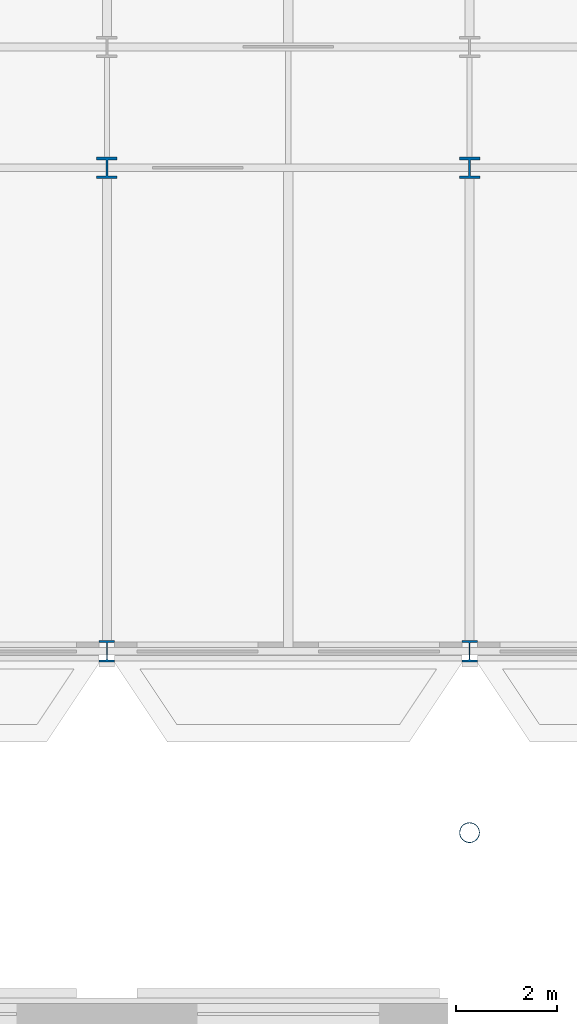
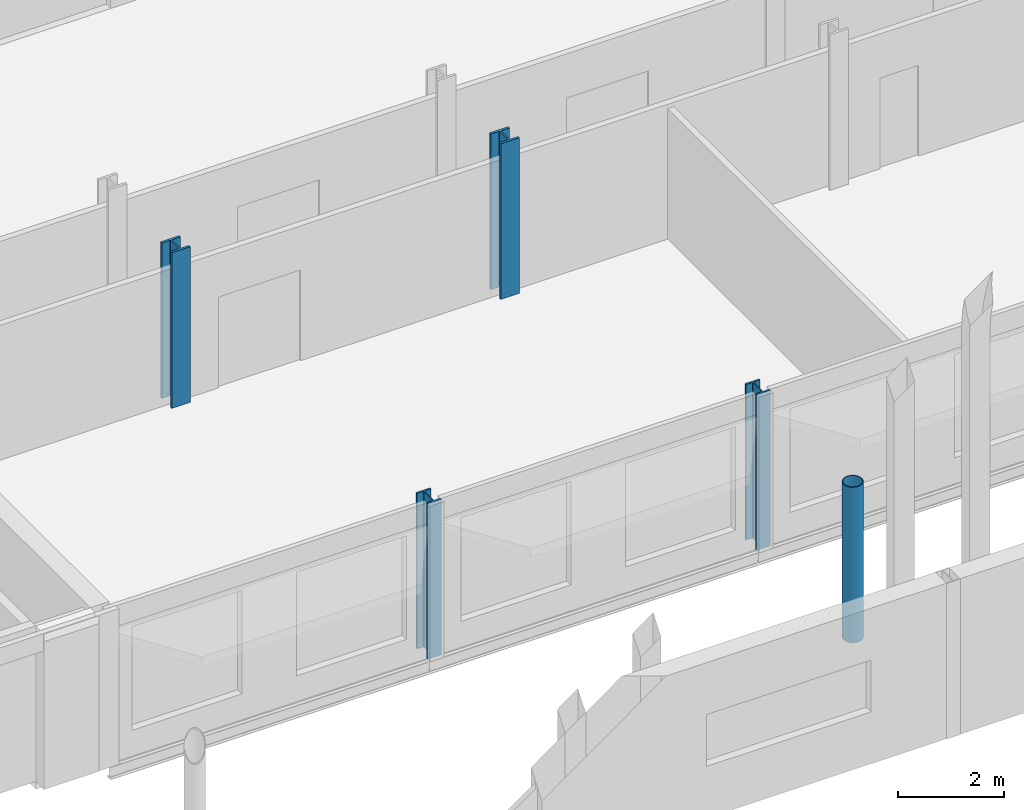
# One storey, part 17 of 143: 5 columns.
"""IFC4 building model written with IfcOpenShell, lengths in metres."""

from ifc_helpers import new_model, si_unit, direction, frame, origin, origin_2d, place, context, subcontext, project, spatial, hollow_circle, i_section, extrude, material, material_profile, profile_set, type_object, element, save


model = new_model("IFC4")

# Units and contexts
model_context = context("Model", 3, precision=1e-05, world=origin(), true_north=direction((0.0, 1.0)))
body_context = subcontext(model_context, "Body", "Model", "MODEL_VIEW")
ifc_project = project(units=[si_unit("LENGTHUNIT", "METRE"), si_unit("AREAUNIT", "SQUARE_METRE"), si_unit("VOLUMEUNIT", "CUBIC_METRE"), si_unit("PLANEANGLEUNIT", "RADIAN"), si_unit("MASSUNIT", "GRAM", prefix="KILO")], contexts=[model_context])

# Site, building, storey
site_placement = place(None, origin())
site = spatial("IfcSite", under=ifc_project, at=site_placement, CompositionType="ELEMENT")
building_placement = place(site_placement, origin())
building = spatial("IfcBuilding", under=site, at=building_placement, Name="Kupolbacken Congress Centre", CompositionType="ELEMENT")
storey_placement = place(building_placement, frame((0.0, 0.0, 7.199951171875)))
storey = spatial("IfcBuildingStorey", under=building, at=storey_placement, Name="L02", CompositionType="ELEMENT", Elevation=7.199951171875)

# Columns
ifc_material_1 = material(Name="Steel S355", Category="steel")
ifc_material_profile_1 = material_profile(ifc_material_1, i_section(OverallWidth=0.408935546875, OverallDepth=0.425048828125, WebThickness=0.03271484375, FlangeThickness=0.052490234375, FilletRadius=0.014892578125, at=origin_2d()), Name="HD 400 x 421")
ifc_profile_set_1 = profile_set([ifc_material_profile_1], Name="Steel S355")
column_type_1 = type_object("IfcColumnType", Name="C01 column HD 400 x 421", PredefinedType="COLUMN", material=ifc_profile_set_1)
for number, where, z_axis, x_axis, name in (
    (1, (115.199951171875, 132.0, 0.0), (0.0, 0.0, 1.0), (1.0, 0.0, 0.0), "S/col/C-T-17U+2400/L02"),
    (2, (122.39990234375, 132.0, 0.0), (0.0, 0.0, 1.0), (1.0, 0.0, 0.0), "S/col/C-T-18U+2400/L02"),
):
    element("IfcColumn", number, at=place(storey_placement, frame(where, z_axis=z_axis, x_axis=x_axis)), inside=storey, type_object=column_type_1, Name=name, PredefinedType="COLUMN", context=body_context, shape_type="SweptSolid", body=[
        extrude(i_section(OverallWidth=0.408935546875, OverallDepth=0.425048828125, WebThickness=0.03271484375, FlangeThickness=0.052490234375, FilletRadius=0.014892578125, at=origin_2d()), origin(), (0.0, 0.0, 1.0), 3.60009765625),
    ])
ifc_material_2 = material(Name="Steel S355", Category="steel")
ifc_material_profile_2 = material_profile(ifc_material_2, i_section(OverallWidth=0.306884765625, OverallDepth=0.431884765625, WebThickness=0.02099609375, FlangeThickness=0.0400390625, FilletRadius=0.027099609375, at=origin_2d()), Name="HEM 400")
ifc_profile_set_2 = profile_set([ifc_material_profile_2], Name="Steel S355")
column_type_2 = type_object("IfcColumnType", Name="C02 column HEM 400", PredefinedType="COLUMN", material=ifc_profile_set_2)
for number, where, z_axis, x_axis, name in (
    (3, (115.199951171875, 122.39990234375, 0.0), (0.0, 0.0, 1.0), (1.0, 0.0, 0.0), "S/col/C-T-17T/L02"),
    (4, (122.39990234375, 122.39990234375, 0.0), (0.0, 0.0, 1.0), (1.0, 0.0, 0.0), "S/col/C-T-18T/L02"),
):
    element("IfcColumn", number, at=place(storey_placement, frame(where, z_axis=z_axis, x_axis=x_axis)), inside=storey, type_object=column_type_2, Name=name, PredefinedType="COLUMN", context=body_context, shape_type="SweptSolid", body=[
        extrude(i_section(OverallWidth=0.306884765625, OverallDepth=0.431884765625, WebThickness=0.02099609375, FlangeThickness=0.0400390625, FilletRadius=0.027099609375, at=origin_2d()), origin(), (0.0, 0.0, 1.0), 3.60009765625),
    ])
ifc_material_3 = material(Name="Steel S355", Category="steel")
ifc_material_profile_3 = material_profile(ifc_material_3, hollow_circle(Radius=0.203125, WallThickness=0.01611328125, at=origin_2d()), Name="CHS 406.4 x 16")
ifc_profile_set_3 = profile_set([ifc_material_profile_3], Name="Steel S355")
column_type_3 = type_object("IfcColumnType", Name="C15 roof mast CHS 406.4 x 16", PredefinedType="COLUMN", material=ifc_profile_set_3)
column_placement = place(storey_placement, frame((122.39990234375, 118.800048828125, 0.0), z_axis=(0.0, 0.0, 1.0), x_axis=(1.0, 0.0, 0.0)))
element("IfcColumn", 5, at=column_placement, inside=storey, type_object=column_type_3, Name="Roof mast M3N", PredefinedType="COLUMN", context=body_context, shape_type="SweptSolid", body=[
    extrude(hollow_circle(Radius=0.203125, WallThickness=0.01611328125, at=origin_2d()), origin(), (0.0, 0.0, 1.0), 3.60009765625),
])

save(model, "model.ifc")
